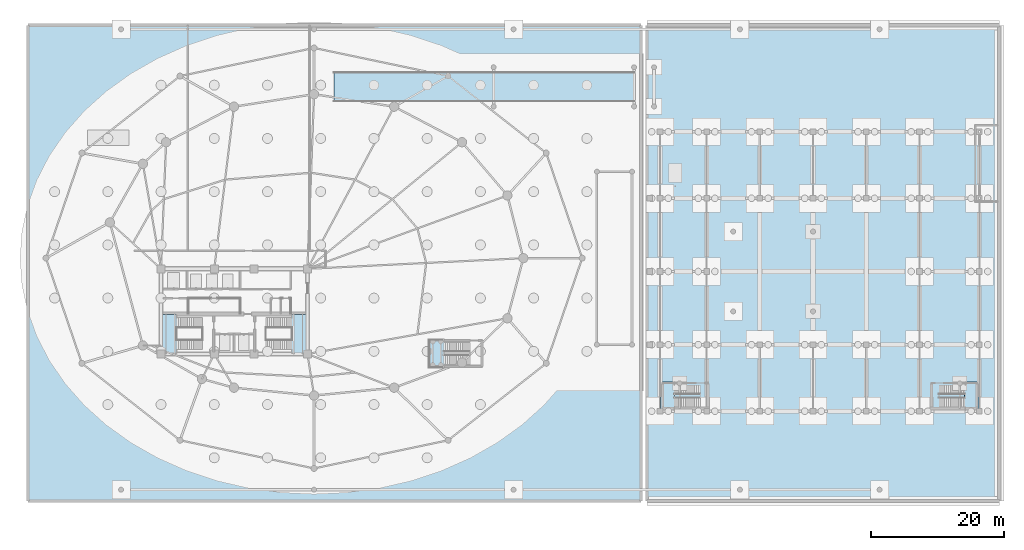
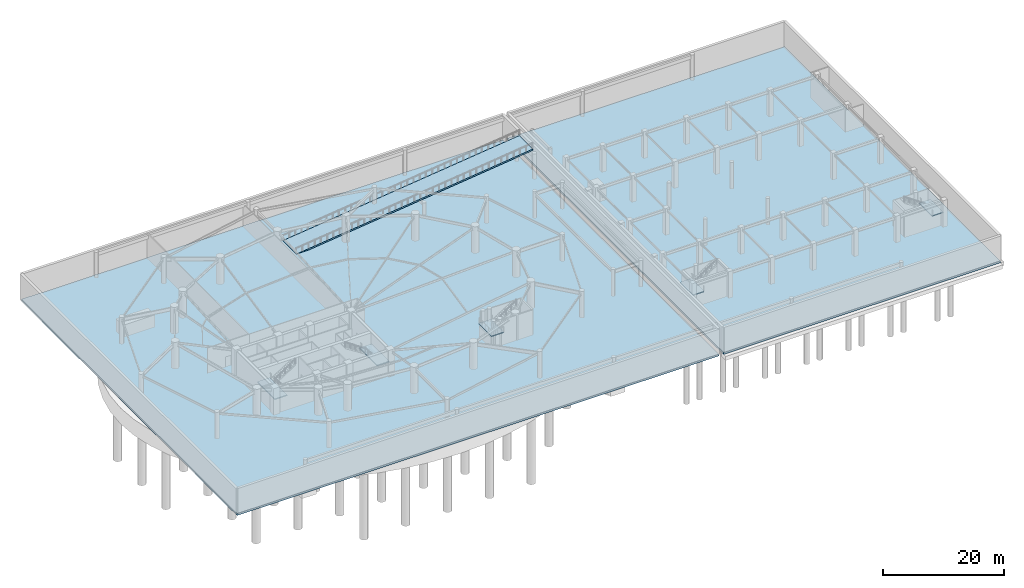
# One storey, part 5 of 22: 8 slabs, 5 elements without a shape of their own.
"""IFC4 building model written with IfcOpenShell, lengths in metres."""

from ifc_helpers import new_model, si_unit, direction, frame, origin, place, context, subcontext, project, spatial, polyline, outline, extrude, material, layer, layer_set, type_object, element, aggregate, save


model = new_model("IFC4")

# Units and contexts
model_context = context("Model", 3, precision=1e-05, world=origin(), true_north=direction((0.0, 1.0)))
body_context = subcontext(model_context, "Body", "Model", "MODEL_VIEW")
ifc_project = project(units=[si_unit("LENGTHUNIT", "METRE"), si_unit("AREAUNIT", "SQUARE_METRE"), si_unit("VOLUMEUNIT", "CUBIC_METRE"), si_unit("PLANEANGLEUNIT", "RADIAN"), si_unit("MASSUNIT", "GRAM", prefix="KILO")], contexts=[model_context])

# Site, building, storey
site_placement = place(None, origin())
site = spatial("IfcSite", under=ifc_project, at=site_placement, CompositionType="ELEMENT")
building_placement = place(site_placement, origin())
building = spatial("IfcBuilding", under=site, at=building_placement, Name="Kazevale Care Tower and Concert Hall", CompositionType="ELEMENT")
storey_placement = place(building_placement, frame((0.0, 0.0, -5.39990234375)))
storey = spatial("IfcBuildingStorey", under=building, at=storey_placement, Name="B1", CompositionType="ELEMENT", Elevation=-5.39990234375)

# Slabs
ifc_material_1 = material(Name="Concrete C50", Category="concrete")
ifc_layer_1 = layer(ifc_material_1, 0.39990234375)
ifc_layer_set_1 = layer_set([ifc_layer_1], Name="Concrete C50")
slab_type_1 = type_object("IfcSlabType", Name="Basement Base Slab 400", PredefinedType="BASESLAB", material=ifc_layer_set_1)
slab_1_placement = place(storey_placement, frame((0.0, 0.0, -0.400146484375)))
element("IfcSlab", 1, at=slab_1_placement, inside=storey, type_object=slab_type_1, Name="slab:B1:base", PredefinedType="BASESLAB", context=body_context, shape_type="SweptSolid", body=[
    extrude(outline(polyline([(2.0, 1.5), (94.14990234375, 1.5), (94.14990234375, 73.0), (2.0, 73.0), (2.0, 1.5)])), origin(), (0.0, 0.0, 1.0), 0.400146484375),
])
slab_2_placement = place(storey_placement, frame((0.0, 0.0, -0.400146484375)))
element("IfcSlab", 2, at=slab_2_placement, inside=storey, type_object=slab_type_1, Name="slab:B1:base_hall", PredefinedType="BASESLAB", context=body_context, shape_type="SweptSolid", body=[
    extrude(outline(polyline([(95.050048828125, 1.5), (148.0, 1.5), (148.0, 73.0), (95.050048828125, 73.0), (95.050048828125, 1.5)])), origin(), (0.0, 0.0, 1.0), 0.400146484375),
])
ifc_material_2 = material(Name="Concrete C40", Category="concrete")
ifc_layer_2 = layer(ifc_material_2, 0.280029296875)
ifc_layer_set_2 = layer_set([ifc_layer_2], Name="Concrete C40")
slab_type_2 = type_object("IfcSlabType", Name="Basement Vehicle Ramp Structural Slab 280", PredefinedType="FLOOR", material=ifc_layer_set_2)
slab_3_placement = place(storey_placement, frame((48.0, 61.5, 0.0), z_axis=(-0.118623475514, 0.0, 0.992939308849), x_axis=(0.992939308849, 0.0, 0.118623475514)))
element("IfcSlab", 3, at=slab_3_placement, inside=storey, type_object=slab_type_2, Name="slab:B1:veh_ramp", PredefinedType="FLOOR", context=body_context, shape_type="SweptSolid", body=[
    extrude(outline(polyline([(0.0, 0.0), (45.521484375, 0.0), (45.521484375, 4.5), (0.0, 4.5), (0.0, 0.0)])), origin(), (0.0, 0.0, -1.0), 0.280029296875),
])

# Stair, slab
stair_type_1 = type_object("IfcStairType", Name="Exit Stair Assembly ST1-B", PredefinedType="HALF_TURN_STAIR", material=ifc_material_2)
stair_1_placement = place(storey_placement, origin())
stair_1 = element("IfcStair", 4, at=stair_1_placement, inside=storey, type_object=stair_type_1, Name="stair:B1:ST1", PredefinedType="HALF_TURN_STAIR")
ifc_layer_3 = layer(ifc_material_2, 0.199951171875)
ifc_layer_set_3 = layer_set([ifc_layer_3], Name="Concrete C40")
slab_type_3 = type_object("IfcSlabType", Name="Stair Half-Landing Slab ST1-B", PredefinedType="LANDING", material=ifc_layer_set_3)
slab_4_placement = place(storey_placement, frame((0.0, 0.0, 2.5)))
slab_4 = element("IfcSlab", 5, at=slab_4_placement, type_object=slab_type_3, Name="ST1-B landing 1", PredefinedType="LANDING", context=body_context, shape_type="SweptSolid", body=[
    extrude(outline(polyline([(22.050048828125, 23.699951171875), (24.409912109375, 23.699951171875), (24.409912109375, 29.5), (22.050048828125, 29.5), (22.050048828125, 23.699951171875)])), origin(), (0.0, 0.0, 1.0), 0.199951171875),
])
aggregate(stair_1, [slab_4])

stair_2_placement = place(storey_placement, origin())
stair_2 = element("IfcStair", 6, at=stair_2_placement, inside=storey, type_object=stair_type_1, Name="stair:B1:ST2", PredefinedType="HALF_TURN_STAIR")
slab_5_placement = place(storey_placement, frame((0.0, 0.0, 2.5)))
slab_5 = element("IfcSlab", 7, at=slab_5_placement, type_object=slab_type_3, Name="ST1-B landing 1", PredefinedType="LANDING", context=body_context, shape_type="SweptSolid", body=[
    extrude(outline(polyline([(41.590087890625, 23.699951171875), (43.949951171875, 23.699951171875), (43.949951171875, 29.5), (41.590087890625, 29.5), (41.590087890625, 23.699951171875)])), origin(), (0.0, 0.0, 1.0), 0.199951171875),
])
aggregate(stair_2, [slab_5])

stair_type_2 = type_object("IfcStairType", Name="Exit Stair Assembly ST3-P", PredefinedType="HALF_TURN_STAIR", material=ifc_material_2)
stair_3_placement = place(storey_placement, origin())
stair_3 = element("IfcStair", 8, at=stair_3_placement, inside=storey, type_object=stair_type_2, Name="stair:B1:ST3", PredefinedType="HALF_TURN_STAIR")
ifc_layer_4 = layer(ifc_material_2, 0.199951171875)
ifc_layer_set_4 = layer_set([ifc_layer_4], Name="Concrete C40")
slab_type_4 = type_object("IfcSlabType", Name="Stair Half-Landing Slab ST3-P", PredefinedType="LANDING", material=ifc_layer_set_4)
slab_6_placement = place(storey_placement, frame((0.0, 0.0, 2.5)))
slab_6 = element("IfcSlab", 9, at=slab_6_placement, type_object=slab_type_4, Name="ST3-P landing 1", PredefinedType="LANDING", context=body_context, shape_type="SweptSolid", body=[
    extrude(outline(polyline([(62.199951171875, 21.5), (64.56005859375, 21.5), (64.56005859375, 25.800048828125), (62.199951171875, 25.800048828125), (62.199951171875, 21.5)])), origin(), (0.0, 0.0, 1.0), 0.199951171875),
])
aggregate(stair_3, [slab_6])

stair_type_3 = type_object("IfcStairType", Name="Exit Stair Assembly ST4-H", PredefinedType="HALF_TURN_STAIR", material=ifc_material_2)
stair_4_placement = place(storey_placement, origin())
stair_4 = element("IfcStair", 10, at=stair_4_placement, inside=storey, type_object=stair_type_3, Name="stair:B1:ST4", PredefinedType="HALF_TURN_STAIR")
ifc_layer_5 = layer(ifc_material_2, 0.199951171875)
ifc_layer_set_5 = layer_set([ifc_layer_5], Name="Concrete C40")
slab_type_5 = type_object("IfcSlabType", Name="Stair Half-Landing Slab ST4-H", PredefinedType="LANDING", material=ifc_layer_set_5)
slab_7_placement = place(storey_placement, frame((0.0, 0.0, 2.5)))
slab_7 = element("IfcSlab", 11, at=slab_7_placement, type_object=slab_type_5, Name="ST4-H landing 1", PredefinedType="LANDING", context=body_context, shape_type="SweptSolid", body=[
    extrude(outline(polyline([(97.050048828125, 15.10009765625), (99.2099609375, 15.10009765625), (99.2099609375, 19.39990234375), (97.050048828125, 19.39990234375), (97.050048828125, 15.10009765625)])), origin(), (0.0, 0.0, 1.0), 0.199951171875),
])
aggregate(stair_4, [slab_7])

stair_5_placement = place(storey_placement, origin())
stair_5 = element("IfcStair", 12, at=stair_5_placement, inside=storey, type_object=stair_type_3, Name="stair:B1:ST5", PredefinedType="HALF_TURN_STAIR")
slab_8_placement = place(storey_placement, frame((0.0, 0.0, 2.5)))
slab_8 = element("IfcSlab", 13, at=slab_8_placement, type_object=slab_type_5, Name="ST4-H landing 1", PredefinedType="LANDING", context=body_context, shape_type="SweptSolid", body=[
    extrude(outline(polyline([(142.7900390625, 15.10009765625), (144.949951171875, 15.10009765625), (144.949951171875, 19.39990234375), (142.7900390625, 19.39990234375), (142.7900390625, 15.10009765625)])), origin(), (0.0, 0.0, 1.0), 0.199951171875),
])
aggregate(stair_5, [slab_8])

save(model, "model.ifc")
